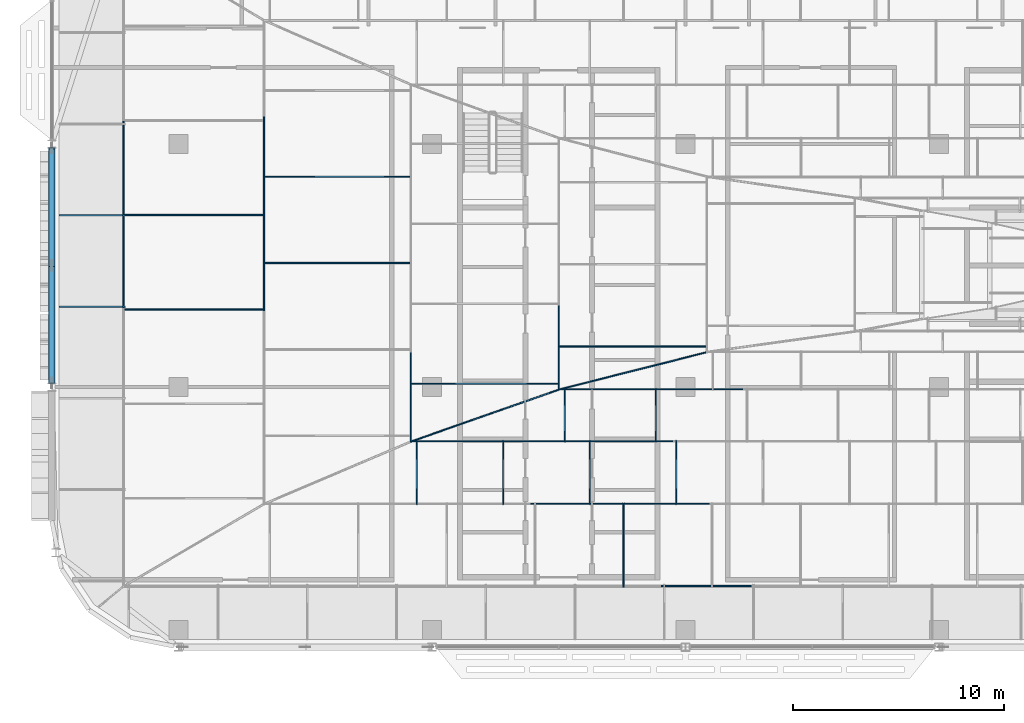
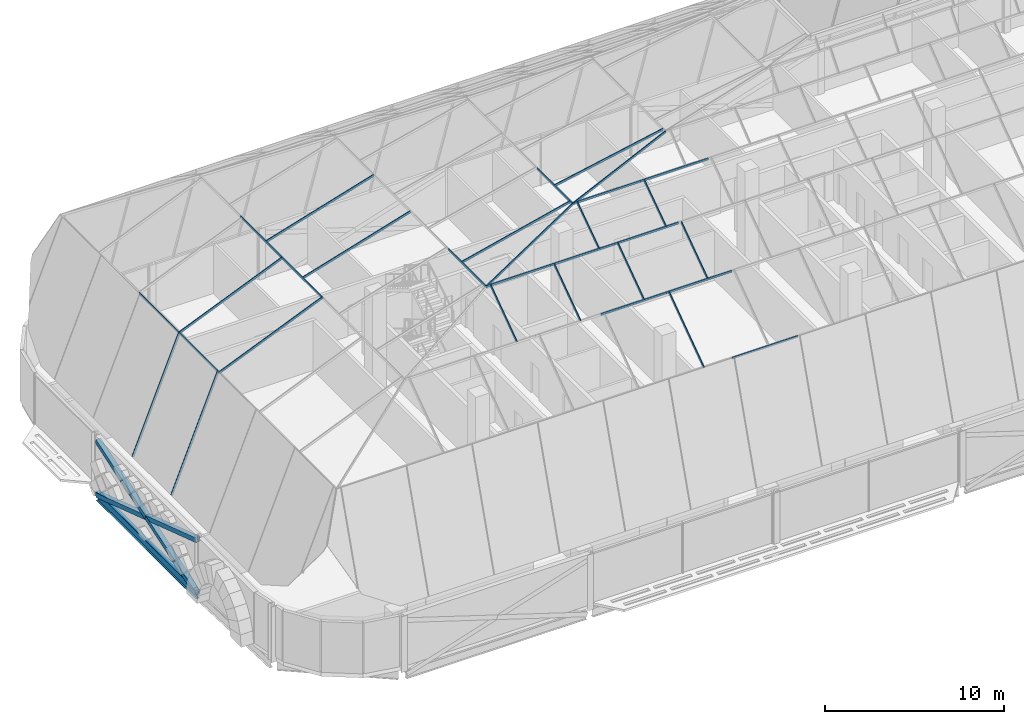
# One storey, part 6 of 39: 34 members, 1 beam, 9 elements without a shape of their own.
"""IFC4 building model written with IfcOpenShell, lengths in metres."""

from ifc_helpers import new_model, si_unit, direction, frame, origin, origin_2d, place, context, subcontext, project, spatial, rectangle, hollow_rectangle, i_section, extrude, material, material_profile, profile_set, type_object, element, aggregate, save


model = new_model("IFC4")

# Units and contexts
model_context = context("Model", 3, precision=1e-05, world=origin(), true_north=direction((0.0, 1.0)))
body_context = subcontext(model_context, "Body", "Model", "MODEL_VIEW")
ifc_project = project(units=[si_unit("LENGTHUNIT", "METRE"), si_unit("AREAUNIT", "SQUARE_METRE"), si_unit("VOLUMEUNIT", "CUBIC_METRE"), si_unit("PLANEANGLEUNIT", "RADIAN"), si_unit("MASSUNIT", "GRAM", prefix="KILO")], contexts=[model_context])

# Site, building, storey
site_placement = place(None, origin())
site = spatial("IfcSite", under=ifc_project, at=site_placement, CompositionType="ELEMENT")
building_placement = place(site_placement, origin())
building = spatial("IfcBuilding", under=site, at=building_placement, Name="Mahtab Terrace Research Tower", CompositionType="ELEMENT")
storey_placement = place(building_placement, frame((0.0, 0.0, 282.300048828125)))
storey = spatial("IfcBuildingStorey", under=building, at=storey_placement, Name="L69", CompositionType="ELEMENT", Elevation=282.300048828125)

# Curtain wall, member
ifc_material_1 = material(Name="Crown faceted glass roof")
curtain_wall_type = type_object("IfcCurtainWallType", Name="Crown faceted glass roof", PredefinedType="NOTDEFINED", material=ifc_material_1)
curtain_wall_1_placement = place(storey_placement, origin())
curtain_wall_1 = element("IfcCurtainWall", 1, at=curtain_wall_1_placement, inside=storey, type_object=curtain_wall_type, Name="CROWN.S1", PredefinedType="NOTDEFINED")
ifc_material_2 = material(Name="Natural anodised aluminium", Category="aluminium")
ifc_material_profile_1 = material_profile(ifc_material_2, rectangle(XDim=0.06005859375, YDim=0.139892578125, at=origin_2d()), Name="MULLION 60x140")
ifc_profile_set_1 = profile_set([ifc_material_profile_1], Name="Natural anodised aluminium")
member_type_1 = type_object("IfcMemberType", Name="Crown faceted glass roof mullion", PredefinedType="MULLION", material=ifc_profile_set_1)
member_1_placement = place(storey_placement, frame((-20.931640625, -9.437255859375, 11.14306640625), z_axis=(0.0, 0.813260115318, 0.581900322077), x_axis=(-1.0, 0.0, 0.0)))
member_1 = element("IfcMember", 2, at=member_1_placement, type_object=member_type_1, Name="CWC-S2 mullion 5", PredefinedType="MULLION", context=body_context, shape_type="SweptSolid", body=[
    extrude(rectangle(XDim=0.06005859375, YDim=0.139892578125, at=origin_2d()), origin(), (0.0, 0.0, 1.0), 4.81201171875),
])

# Curtain wall, members
curtain_wall_2_placement = place(storey_placement, origin())
curtain_wall_2 = element("IfcCurtainWall", 3, at=curtain_wall_2_placement, inside=storey, type_object=curtain_wall_type, Name="CROWN.S2", PredefinedType="NOTDEFINED")
member_2_placement = place(storey_placement, frame((-30.72021484375, -5.524169921875, 13.94287109375), z_axis=(0.0, 0.815304175088, 0.57903290242), x_axis=(-1.0, 0.0, 0.0)))
member_2 = element("IfcMember", 4, at=member_2_placement, type_object=member_type_1, Name="CWC-S3 mullion 1", PredefinedType="MULLION", context=body_context, shape_type="SweptSolid", body=[
    extrude(rectangle(XDim=0.06005859375, YDim=0.139892578125, at=origin_2d()), origin(), (0.0, 0.0, 1.0), 3.626953125),
])
member_3_placement = place(storey_placement, frame((-26.6240234375, -5.524169921875, 13.94287109375), z_axis=(0.0, 0.815304175088, 0.57903290242), x_axis=(-1.0, 0.0, 0.0)))
member_3 = element("IfcMember", 5, at=member_3_placement, type_object=member_type_1, Name="CWC-S3 mullion 2", PredefinedType="MULLION", context=body_context, shape_type="SweptSolid", body=[
    extrude(rectangle(XDim=0.06005859375, YDim=0.139892578125, at=origin_2d()), origin(), (0.0, 0.0, 1.0), 3.626953125),
])
member_4_placement = place(storey_placement, frame((-22.528076171875, -5.524169921875, 13.94287109375), z_axis=(0.0, 0.815304175088, 0.57903290242), x_axis=(-1.0, 0.0, 0.0)))
member_4 = element("IfcMember", 6, at=member_4_placement, type_object=member_type_1, Name="CWC-S3 mullion 3", PredefinedType="MULLION", context=body_context, shape_type="SweptSolid", body=[
    extrude(rectangle(XDim=0.06005859375, YDim=0.139892578125, at=origin_2d()), origin(), (0.0, 0.0, 1.0), 3.626953125),
])
member_5_placement = place(storey_placement, frame((-18.43212890625, -5.524169921875, 13.94287109375), z_axis=(0.0, 0.815304175088, 0.57903290242), x_axis=(-1.0, 0.0, 0.0)))
member_5 = element("IfcMember", 7, at=member_5_placement, type_object=member_type_1, Name="CWC-S3 mullion 4", PredefinedType="MULLION", context=body_context, shape_type="SweptSolid", body=[
    extrude(rectangle(XDim=0.06005859375, YDim=0.139892578125, at=origin_2d()), origin(), (0.0, 0.0, 1.0), 3.626953125),
])

curtain_wall_3_placement = place(storey_placement, origin())
curtain_wall_3 = element("IfcCurtainWall", 8, at=curtain_wall_3_placement, inside=storey, type_object=curtain_wall_type, Name="CROWN.S3", PredefinedType="NOTDEFINED")
member_6_placement = place(storey_placement, frame((-23.715576171875, -2.56787109375, 16.042236328125), z_axis=(0.0, 0.822770587003, 0.568373610544), x_axis=(-1.0, 0.0, 0.0)))
member_6 = element("IfcMember", 9, at=member_6_placement, type_object=member_type_1, Name="CWC-S4 mullion 1", PredefinedType="MULLION", context=body_context, shape_type="SweptSolid", body=[
    extrude(rectangle(XDim=0.06005859375, YDim=0.139892578125, at=origin_2d()), origin(), (0.0, 0.0, 1.0), 2.991455078125),
])
member_7_placement = place(storey_placement, frame((-19.40380859375, -2.56787109375, 16.042236328125), z_axis=(0.0, 0.822770587003, 0.568373610544), x_axis=(-1.0, 0.0, 0.0)))
member_7 = element("IfcMember", 10, at=member_7_placement, type_object=member_type_1, Name="CWC-S4 mullion 2", PredefinedType="MULLION", context=body_context, shape_type="SweptSolid", body=[
    extrude(rectangle(XDim=0.06005859375, YDim=0.139892578125, at=origin_2d()), origin(), (0.0, 0.0, 1.0), 2.991455078125),
])

curtain_wall_4_placement = place(storey_placement, origin())
curtain_wall_4 = element("IfcCurtainWall", 11, at=curtain_wall_4_placement, inside=storey, type_object=curtain_wall_type, Name="CROWN.W0", PredefinedType="NOTDEFINED")
member_8_placement = place(storey_placement, frame((-47.585205078125, 3.8017578125, 3.773681640625), z_axis=(0.375919413042, 0.0, 0.926652359247), x_axis=(0.0, 1.0, 0.0)))
member_8 = element("IfcMember", 12, at=member_8_placement, type_object=member_type_1, Name="CWC-W1 mullion 4", PredefinedType="MULLION", context=body_context, shape_type="SweptSolid", body=[
    extrude(rectangle(XDim=0.06005859375, YDim=0.139892578125, at=origin_2d()), origin(), (0.0, 0.0, 1.0), 7.985595703125),
])
member_9_placement = place(storey_placement, frame((-47.585205078125, 8.12841796875, 3.773681640625), z_axis=(0.375919413042, 0.0, 0.926652359247), x_axis=(0.0, 1.0, 0.0)))
member_9 = element("IfcMember", 13, at=member_9_placement, type_object=member_type_1, Name="CWC-W1 mullion 5", PredefinedType="MULLION", context=body_context, shape_type="SweptSolid", body=[
    extrude(rectangle(XDim=0.06005859375, YDim=0.139892578125, at=origin_2d()), origin(), (0.0, 0.0, 1.0), 7.985595703125),
])
aggregate(curtain_wall_4, [member_8, member_9])

curtain_wall_5_placement = place(storey_placement, origin())
curtain_wall_5 = element("IfcCurtainWall", 14, at=curtain_wall_5_placement, inside=storey, type_object=curtain_wall_type, Name="CROWN.W1", PredefinedType="NOTDEFINED")
member_10_placement = place(storey_placement, frame((-44.62109375, 3.6748046875, 11.135498046875), z_axis=(0.922072437217, 0.0, 0.38701733879), x_axis=(0.0, 1.0, 0.0)))
member_10 = element("IfcMember", 15, at=member_10_placement, type_object=member_type_1, Name="CWC-W2 mullion 3", PredefinedType="MULLION", context=body_context, shape_type="SweptSolid", body=[
    extrude(rectangle(XDim=0.06005859375, YDim=0.139892578125, at=origin_2d()), origin(), (0.0, 0.0, 1.0), 7.23486328125),
])
member_11_placement = place(storey_placement, frame((-44.62109375, 8.144775390625, 11.135498046875), z_axis=(0.922072437217, 0.0, 0.38701733879), x_axis=(0.0, 1.0, 0.0)))
member_11 = element("IfcMember", 16, at=member_11_placement, type_object=member_type_1, Name="CWC-W2 mullion 4", PredefinedType="MULLION", context=body_context, shape_type="SweptSolid", body=[
    extrude(rectangle(XDim=0.06005859375, YDim=0.139892578125, at=origin_2d()), origin(), (0.0, 0.0, 1.0), 7.23486328125),
])

curtain_wall_6_placement = place(storey_placement, origin())
curtain_wall_6 = element("IfcCurtainWall", 17, at=curtain_wall_6_placement, inside=storey, type_object=curtain_wall_type, Name="CROWN.W2", PredefinedType="NOTDEFINED")
member_12_placement = place(storey_placement, frame((-37.956787109375, 5.867919921875, 13.932861328125), z_axis=(0.957330166086, 0.0, 0.28899645863), x_axis=(0.0, 1.0, 0.0)))
member_12 = element("IfcMember", 18, at=member_12_placement, type_object=member_type_1, Name="CWC-W3 mullion 3", PredefinedType="MULLION", context=body_context, shape_type="SweptSolid", body=[
    extrude(rectangle(XDim=0.06005859375, YDim=0.139892578125, at=origin_2d()), origin(), (0.0, 0.0, 1.0), 7.266845703125),
])
member_13_placement = place(storey_placement, frame((-37.956787109375, 9.955810546875, 13.932861328125), z_axis=(0.957330166086, 0.0, 0.28899645863), x_axis=(0.0, 1.0, 0.0)))
member_13 = element("IfcMember", 19, at=member_13_placement, type_object=member_type_1, Name="CWC-W3 mullion 4", PredefinedType="MULLION", context=body_context, shape_type="SweptSolid", body=[
    extrude(rectangle(XDim=0.06005859375, YDim=0.139892578125, at=origin_2d()), origin(), (0.0, 0.0, 1.0), 7.266845703125),
])

# Curtain wall, member
curtain_wall_7_placement = place(storey_placement, origin())
curtain_wall_7 = element("IfcCurtainWall", 20, at=curtain_wall_7_placement, inside=storey, type_object=curtain_wall_type, Name="CROWN.W3", PredefinedType="NOTDEFINED")
member_14_placement = place(storey_placement, frame((-31.003662109375, 0.153564453125, 16.031982421875), z_axis=(0.971791087506, 0.0, 0.235843342592), x_axis=(0.0, 1.0, 0.0)))
member_14 = element("IfcMember", 21, at=member_14_placement, type_object=member_type_1, Name="CWC-W4 mullion 1", PredefinedType="MULLION", context=body_context, shape_type="SweptSolid", body=[
    extrude(rectangle(XDim=0.06005859375, YDim=0.139892578125, at=origin_2d()), origin(), (0.0, 0.0, 1.0), 7.2080078125),
])

curtain_wall_8_placement = place(storey_placement, origin())
curtain_wall_8 = element("IfcCurtainWall", 22, at=curtain_wall_8_placement, inside=storey, type_object=curtain_wall_type, Name="CROWN.W4", PredefinedType="NOTDEFINED")
member_15_placement = place(storey_placement, frame((-24.001953125, 1.92431640625, 17.7314453125), z_axis=(0.980608271489, 0.0, 0.195978105633), x_axis=(0.0, 1.0, 0.0)))
member_15 = element("IfcMember", 23, at=member_15_placement, type_object=member_type_1, Name="CWC-W5 mullion 1", PredefinedType="MULLION", context=body_context, shape_type="SweptSolid", body=[
    extrude(rectangle(XDim=0.06005859375, YDim=0.139892578125, at=origin_2d()), origin(), (0.0, 0.0, 1.0), 7.14306640625),
])

# Member
member_16_placement = place(storey_placement, frame((-31.011474609375, -2.586669921875, 16.03369140625), z_axis=(0.919657305026, 0.323134965389, 0.223191029065), x_axis=(-0.331497070137, 0.943456248318, 0.0)))
member_16 = element("IfcMember", 24, at=member_16_placement, type_object=member_type_1, Name="CWC hip SW 4", PredefinedType="MULLION", context=body_context, shape_type="SweptSolid", body=[
    extrude(rectangle(XDim=0.06005859375, YDim=0.139892578125, at=origin_2d()), origin(), (0.0, 0.0, 1.0), 7.616455078125),
])

# Curtain wall, member
curtain_wall_9_placement = place(storey_placement, origin())
curtain_wall_9 = element("IfcCurtainWall", 25, at=curtain_wall_9_placement, inside=storey, type_object=curtain_wall_type, Name="CROWN.S4", PredefinedType="NOTDEFINED")
member_17_placement = place(storey_placement, frame((-24.00830078125, -0.123291015625, 17.734130859375), z_axis=(0.951797809266, 0.240586884378, 0.190260036115), x_axis=(-0.245063276091, 0.969507086468, 0.0)))
member_17 = element("IfcMember", 26, at=member_17_placement, type_object=member_type_1, Name="CWC hip SW 5", PredefinedType="MULLION", context=body_context, shape_type="SweptSolid", body=[
    extrude(rectangle(XDim=0.06005859375, YDim=0.139892578125, at=origin_2d()), origin(), (0.0, 0.0, 1.0), 7.359130859375),
])

# Member
ifc_material_profile_2 = material_profile(ifc_material_2, rectangle(XDim=0.06005859375, YDim=0.139892578125, at=origin_2d()), Name="TRANSOM 60x140")
ifc_profile_set_2 = profile_set([ifc_material_profile_2], Name="Natural anodised aluminium")
member_type_2 = type_object("IfcMemberType", Name="Crown faceted glass roof transom", PredefinedType="USERDEFINED", material=ifc_profile_set_2)
member_18_placement = place(storey_placement, frame((-19.135009765625, -9.421630859375, 11.158447265625), z_axis=(1.0, 0.0, 0.0), x_axis=(0.0, 1.0, 0.0)))
member_18 = element("IfcMember", 27, at=member_18_placement, type_object=member_type_2, Name="CWC-S2 transom 7", ObjectType="TRANSOM", PredefinedType="USERDEFINED", context=body_context, shape_type="SweptSolid", body=[
    extrude(rectangle(XDim=0.06005859375, YDim=0.139892578125, at=origin_2d()), origin(), (0.0, 0.0, 1.0), 4.252197265625),
])

aggregate(curtain_wall_1, [member_1, member_18])

member_19_placement = place(storey_placement, frame((-25.318115234375, -5.524169921875, 13.94287109375), z_axis=(1.0, 0.0, 0.0), x_axis=(0.0, 1.0, 0.0)))
member_19 = element("IfcMember", 28, at=member_19_placement, type_object=member_type_2, Name="CWC-S3 transom 4", ObjectType="TRANSOM", PredefinedType="USERDEFINED", context=body_context, shape_type="SweptSolid", body=[
    extrude(rectangle(XDim=0.06005859375, YDim=0.139892578125, at=origin_2d()), origin(), (0.0, 0.0, 1.0), 4.2197265625),
])

member_20_placement = place(storey_placement, frame((-21.098388671875, -5.524169921875, 13.94287109375), z_axis=(1.0, 0.0, 0.0), x_axis=(0.0, 1.0, 0.0)))
member_20 = element("IfcMember", 29, at=member_20_placement, type_object=member_type_2, Name="CWC-S3 transom 5", ObjectType="TRANSOM", PredefinedType="USERDEFINED", context=body_context, shape_type="SweptSolid", body=[
    extrude(rectangle(XDim=0.06005859375, YDim=0.139892578125, at=origin_2d()), origin(), (0.0, 0.0, 1.0), 4.2197265625),
])

aggregate(curtain_wall_2, [member_2, member_3, member_4, member_5, member_19, member_20])

member_21_placement = place(storey_placement, frame((-31.020263671875, -2.5673828125, 16.042724609375), z_axis=(1.0, 0.0, 0.0), x_axis=(0.0, 1.0, 0.0)))
member_21 = element("IfcMember", 30, at=member_21_placement, type_object=member_type_2, Name="CWC-S4 transom 1", ObjectType="TRANSOM", PredefinedType="USERDEFINED", context=body_context, shape_type="SweptSolid", body=[
    extrude(rectangle(XDim=0.06005859375, YDim=0.139892578125, at=origin_2d()), origin(), (0.0, 0.0, 1.0), 4.13623046875),
])

member_22_placement = place(storey_placement, frame((-26.884033203125, -2.5673828125, 16.042724609375), z_axis=(1.0, 0.0, 0.0), x_axis=(0.0, 1.0, 0.0)))
member_22 = element("IfcMember", 31, at=member_22_placement, type_object=member_type_2, Name="CWC-S4 transom 2", ObjectType="TRANSOM", PredefinedType="USERDEFINED", context=body_context, shape_type="SweptSolid", body=[
    extrude(rectangle(XDim=0.06005859375, YDim=0.139892578125, at=origin_2d()), origin(), (0.0, 0.0, 1.0), 4.135986328125),
])

member_23_placement = place(storey_placement, frame((-22.748046875, -2.5673828125, 16.042724609375), z_axis=(1.0, 0.0, 0.0), x_axis=(0.0, 1.0, 0.0)))
member_23 = element("IfcMember", 32, at=member_23_placement, type_object=member_type_2, Name="CWC-S4 transom 3", ObjectType="TRANSOM", PredefinedType="USERDEFINED", context=body_context, shape_type="SweptSolid", body=[
    extrude(rectangle(XDim=0.06005859375, YDim=0.139892578125, at=origin_2d()), origin(), (0.0, 0.0, 1.0), 4.135986328125),
])

aggregate(curtain_wall_3, [member_6, member_7, member_21, member_22, member_23, member_16])

member_24_placement = place(storey_placement, frame((-24.015625, -0.104736328125, 17.74365234375), z_axis=(1.0, 0.0, 0.0), x_axis=(0.0, 1.0, 0.0)))
member_24 = element("IfcMember", 33, at=member_24_placement, type_object=member_type_2, Name="CWC-S5 transom 1", ObjectType="TRANSOM", PredefinedType="USERDEFINED", context=body_context, shape_type="SweptSolid", body=[
    extrude(rectangle(XDim=0.06005859375, YDim=0.139892578125, at=origin_2d()), origin(), (0.0, 0.0, 1.0), 4.366455078125),
])

member_25_placement = place(storey_placement, frame((-19.649169921875, -0.104736328125, 17.74365234375), z_axis=(1.0, 0.0, 0.0), x_axis=(0.0, 1.0, 0.0)))
member_25 = element("IfcMember", 34, at=member_25_placement, type_object=member_type_2, Name="CWC-S5 transom 2", ObjectType="TRANSOM", PredefinedType="USERDEFINED", context=body_context, shape_type="SweptSolid", body=[
    extrude(rectangle(XDim=0.06005859375, YDim=0.139892578125, at=origin_2d()), origin(), (0.0, 0.0, 1.0), 4.366455078125),
])

aggregate(curtain_wall_9, [member_24, member_25, member_17])

member_26_placement = place(storey_placement, frame((-44.598388671875, 3.7587890625, 11.150634765625), z_axis=(0.0, 1.0, 0.0), x_axis=(-1.0, 0.0, 0.0)))
member_26 = element("IfcMember", 35, at=member_26_placement, type_object=member_type_2, Name="CWC-W2 transom 4", ObjectType="TRANSOM", PredefinedType="USERDEFINED", context=body_context, shape_type="SweptSolid", body=[
    extrude(rectangle(XDim=0.06005859375, YDim=0.139892578125, at=origin_2d()), origin(), (0.0, 0.0, 1.0), 4.412353515625),
])

member_27_placement = place(storey_placement, frame((-44.598388671875, 8.171142578125, 11.150634765625), z_axis=(0.0, 1.0, 0.0), x_axis=(-1.0, 0.0, 0.0)))
member_27 = element("IfcMember", 36, at=member_27_placement, type_object=member_type_2, Name="CWC-W2 transom 5", ObjectType="TRANSOM", PredefinedType="USERDEFINED", context=body_context, shape_type="SweptSolid", body=[
    extrude(rectangle(XDim=0.06005859375, YDim=0.139892578125, at=origin_2d()), origin(), (0.0, 0.0, 1.0), 4.412353515625),
])

aggregate(curtain_wall_5, [member_10, member_11, member_26, member_27])

member_28_placement = place(storey_placement, frame((-37.953369140625, 3.61474609375, 13.93408203125), z_axis=(0.0, 1.0, 0.0), x_axis=(-1.0, 0.0, 0.0)))
member_28 = element("IfcMember", 37, at=member_28_placement, type_object=member_type_2, Name="CWC-W3 transom 3", ObjectType="TRANSOM", PredefinedType="USERDEFINED", context=body_context, shape_type="SweptSolid", body=[
    extrude(rectangle(XDim=0.06005859375, YDim=0.139892578125, at=origin_2d()), origin(), (0.0, 0.0, 1.0), 4.58984375),
])

member_29_placement = place(storey_placement, frame((-37.953369140625, 8.20458984375, 13.93408203125), z_axis=(0.0, 1.0, 0.0), x_axis=(-1.0, 0.0, 0.0)))
member_29 = element("IfcMember", 38, at=member_29_placement, type_object=member_type_2, Name="CWC-W3 transom 4", ObjectType="TRANSOM", PredefinedType="USERDEFINED", context=body_context, shape_type="SweptSolid", body=[
    extrude(rectangle(XDim=0.06005859375, YDim=0.139892578125, at=origin_2d()), origin(), (0.0, 0.0, 1.0), 4.58984375),
])

aggregate(curtain_wall_6, [member_12, member_13, member_28, member_29])

member_30_placement = place(storey_placement, frame((-31.001708984375, -2.607666015625, 16.032470703125), z_axis=(0.0, 1.0, 0.0), x_axis=(-1.0, 0.0, 0.0)))
member_30 = element("IfcMember", 39, at=member_30_placement, type_object=member_type_2, Name="CWC-W4 transom 1", ObjectType="TRANSOM", PredefinedType="USERDEFINED", context=body_context, shape_type="SweptSolid", body=[
    extrude(rectangle(XDim=0.06005859375, YDim=0.139892578125, at=origin_2d()), origin(), (0.0, 0.0, 1.0), 4.23779296875),
])

aggregate(curtain_wall_7, [member_14, member_30])

member_31_placement = place(storey_placement, frame((-24.00048828125, -0.146484375, 17.731689453125), z_axis=(0.0, 1.0, 0.0), x_axis=(-1.0, 0.0, 0.0)))
member_31 = element("IfcMember", 40, at=member_31_placement, type_object=member_type_2, Name="CWC-W5 transom 1", ObjectType="TRANSOM", PredefinedType="USERDEFINED", context=body_context, shape_type="SweptSolid", body=[
    extrude(rectangle(XDim=0.06005859375, YDim=0.139892578125, at=origin_2d()), origin(), (0.0, 0.0, 1.0), 3.986572265625),
])

aggregate(curtain_wall_8, [member_15, member_31])

# Members
ifc_material_3 = material(Name="Steel ASTM A500 Gr C", Category="steel")
ifc_material_profile_3 = material_profile(ifc_material_3, hollow_rectangle(XDim=0.3046875, YDim=0.3046875, WallThickness=0.015869140625, at=origin_2d()), Name="HSS12X12X5/8")
ifc_profile_set_3 = profile_set([ifc_material_profile_3], Name="Steel ASTM A500 Gr C")
member_type_3 = type_object("IfcMemberType", Name="HSS 12x12x5/8 brace XB121258", PredefinedType="BRACE", material=ifc_profile_set_3)
member_32_placement = place(storey_placement, frame((-48.0, 11.31201171875, -0.58154296875), z_axis=(0.0, -0.949505289695, 0.313751023651), x_axis=(1.0, 0.0, 0.0)))
element("IfcMember", 41, at=member_32_placement, inside=storey, type_object=member_type_3, Name="Exoskeleton brace L69 11 a", PredefinedType="BRACE", context=body_context, shape_type="SweptSolid", body=[
    extrude(hollow_rectangle(XDim=0.3046875, YDim=0.3046875, WallThickness=0.015869140625, at=origin_2d()), origin(), (0.0, 0.0, 1.0), 11.715576171875),
])
for number, where, z_axis, x_axis, name in (
    (42, (-48.0, 0.18798828125, -0.58154296875), (0.0, 0.949505289695, 0.313751023651), (-1.0, 0.0, 0.0), "Exoskeleton brace L69 11 b1"),
    (43, (-48.0, 5.75, 1.25634765625), (0.0, 0.949505289695, 0.313751023651), (-1.0, 0.0, 0.0), "Exoskeleton brace L69 11 b2"),
):
    element("IfcMember", number, at=place(storey_placement, frame(where, z_axis=z_axis, x_axis=x_axis)), inside=storey, type_object=member_type_3, Name=name, PredefinedType="BRACE", context=body_context, shape_type="SweptSolid", body=[
        extrude(hollow_rectangle(XDim=0.3046875, YDim=0.3046875, WallThickness=0.015869140625, at=origin_2d()), origin(), (0.0, 0.0, 1.0), 5.85791015625),
    ])

# Beam
ifc_material_4 = material(Name="Steel ASTM A992 Gr 50", Category="steel")
ifc_material_profile_4 = material_profile(ifc_material_4, i_section(OverallWidth=0.228271484375, OverallDepth=0.607177734375, WebThickness=0.01123046875, FlangeThickness=0.017333984375, at=origin_2d()), Name="W24X76")
ifc_profile_set_4 = profile_set([ifc_material_profile_4], Name="Steel ASTM A992 Gr 50")
beam_type = type_object("IfcBeamType", Name="W24x76 beam BS2476", PredefinedType="BEAM", material=ifc_profile_set_4)
beam_placement = place(storey_placement, frame((-48.0, 11.31201171875, -0.6435546875), z_axis=(0.0, -1.0, 0.0), x_axis=(1.0, 0.0, 0.0)))
element("IfcBeam", 44, at=beam_placement, inside=storey, type_object=beam_type, Name="Spandrel beam L69 11", PredefinedType="BEAM", context=body_context, shape_type="SweptSolid", body=[
    extrude(i_section(OverallWidth=0.228271484375, OverallDepth=0.607177734375, WebThickness=0.01123046875, FlangeThickness=0.017333984375, at=origin_2d()), origin(), (0.0, 0.0, 1.0), 11.1240234375),
])

save(model, "model.ifc")
